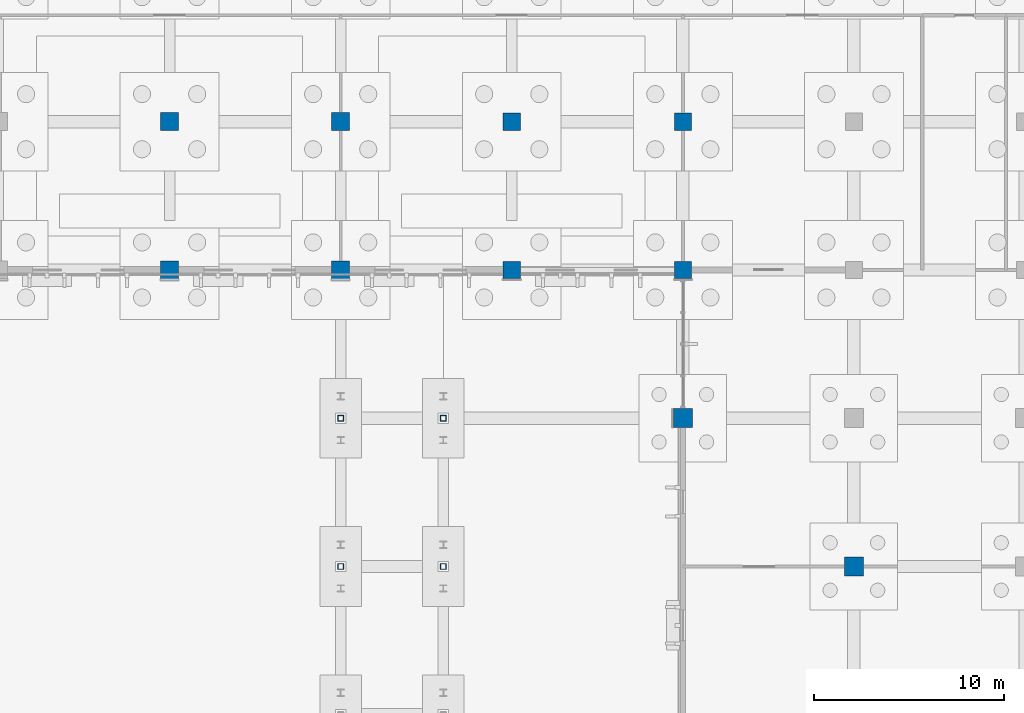
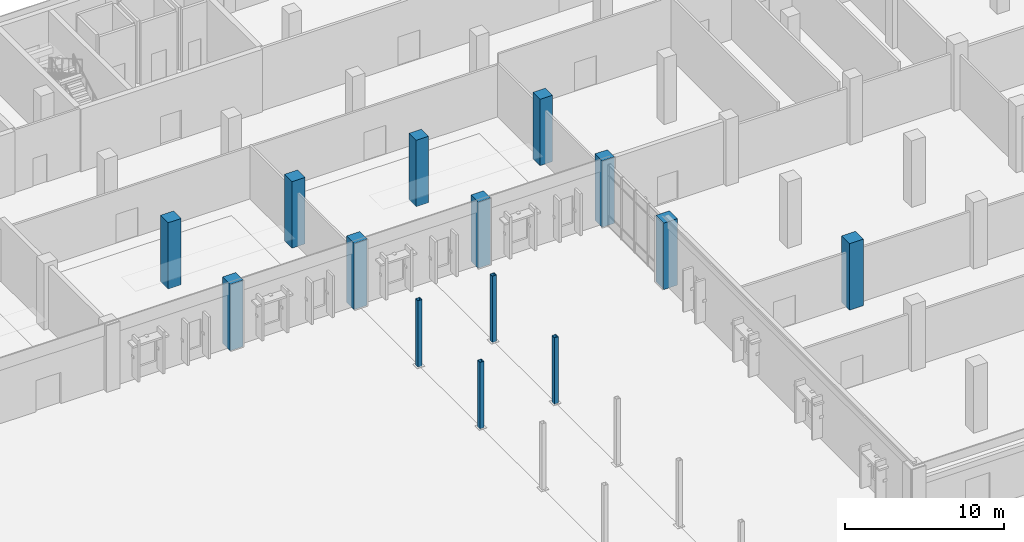
# One storey, part 26 of 94: 14 columns.
"""IFC4 building model written with IfcOpenShell, lengths in metres."""

from ifc_helpers import new_model, si_unit, direction, frame, origin, origin_2d, place, context, subcontext, project, spatial, rectangle, hollow_rectangle, extrude, material, material_profile, profile_set, type_object, element, save


model = new_model("IFC4")

# Units and contexts
model_context = context("Model", 3, precision=1e-05, world=origin(), true_north=direction((0.0, 1.0)))
body_context = subcontext(model_context, "Body", "Model", "MODEL_VIEW")
ifc_project = project(units=[si_unit("LENGTHUNIT", "METRE"), si_unit("AREAUNIT", "SQUARE_METRE"), si_unit("VOLUMEUNIT", "CUBIC_METRE"), si_unit("PLANEANGLEUNIT", "RADIAN"), si_unit("MASSUNIT", "GRAM", prefix="KILO")], contexts=[model_context])

# Site, building, storey
site_placement = place(None, origin())
site = spatial("IfcSite", under=ifc_project, at=site_placement, CompositionType="ELEMENT")
building_placement = place(site_placement, origin())
building = spatial("IfcBuilding", under=site, at=building_placement, Name="Vervanel Yard Central Library", CompositionType="ELEMENT")
storey_placement = place(building_placement, origin())
storey = spatial("IfcBuildingStorey", under=building, at=storey_placement, Name="L00", CompositionType="ELEMENT", Elevation=0.0)

# Columns
ifc_material_1 = material(Name="Steel ASTM A500 Grade C", Category="steel")
ifc_material_profile_1 = material_profile(ifc_material_1, hollow_rectangle(XDim=0.3046875, YDim=0.3046875, WallThickness=0.0146484375, at=origin_2d()), Name="HSS12X12X5/8", Category="steel")
ifc_profile_set_1 = profile_set([ifc_material_profile_1], Name="Steel ASTM A500 Grade C")
column_type_1 = type_object("IfcColumnType", Name="Bridge Pier Column HSS12X12X5/8", PredefinedType="COLUMN", material=ifc_profile_set_1)
for number, where, z_axis, x_axis, name in (
    (1, (72.0, 66.60009765625, 0.0), (0.0, 0.0, 1.0), (1.0, 0.0, 0.0), "L00 Bridge Pier Column HSS12X12X5/8 (72.0, 66.6)"),
    (2, (72.0, 74.39990234375, 0.0), (0.0, 0.0, 1.0), (1.0, 0.0, 0.0), "L00 Bridge Pier Column HSS12X12X5/8 (72.0, 74.4)"),
    (3, (77.39990234375, 66.60009765625, 0.0), (0.0, 0.0, 1.0), (1.0, 0.0, 0.0), "L00 Bridge Pier Column HSS12X12X5/8 (77.4, 66.6)"),
    (4, (77.39990234375, 74.39990234375, 0.0), (0.0, 0.0, 1.0), (1.0, 0.0, 0.0), "L00 Bridge Pier Column HSS12X12X5/8 (77.4, 74.4)"),
):
    element("IfcColumn", number, at=place(storey_placement, frame(where, z_axis=z_axis, x_axis=x_axis)), inside=storey, type_object=column_type_1, Name=name, PredefinedType="COLUMN", context=body_context, shape_type="SweptSolid", body=[
        extrude(hollow_rectangle(XDim=0.3046875, YDim=0.3046875, WallThickness=0.0146484375, at=origin_2d()), origin(), (0.0, 0.0, 1.0), 5.10009765625),
    ])
ifc_material_2 = material(Name="Concrete C45/55", Category="concrete")
ifc_material_profile_2 = material_profile(ifc_material_2, rectangle(XDim=1.0, YDim=1.0, at=origin_2d()), Name="RC 1000x1000", Category="concrete")
ifc_profile_set_2 = profile_set([ifc_material_profile_2], Name="Concrete C45/55")
column_type_2 = type_object("IfcColumnType", Name="Concrete Column 1000x1000", PredefinedType="COLUMN", material=ifc_profile_set_2)
for number, where, z_axis, x_axis, name in (
    (5, (90.0, 74.39990234375, 0.0), (0.0, 0.0, 1.0), (1.0, 0.0, 0.0), "L00 Concrete Column 1000x1000 (90.0, 74.4)"),
    (6, (99.0, 66.60009765625, 0.0), (0.0, 0.0, 1.0), (1.0, 0.0, 0.0), "L00 Concrete Column 1000x1000 (99.0, 66.6)"),
):
    element("IfcColumn", number, at=place(storey_placement, frame(where, z_axis=z_axis, x_axis=x_axis)), inside=storey, type_object=column_type_2, Name=name, PredefinedType="COLUMN", context=body_context, shape_type="SweptSolid", body=[
        extrude(rectangle(XDim=1.0, YDim=1.0, at=origin_2d()), origin(), (0.0, 0.0, 1.0), 5.10009765625),
    ])
ifc_material_profile_3 = material_profile(ifc_material_2, rectangle(XDim=0.89990234375, YDim=0.89990234375, at=origin_2d()), Name="RC 900x900", Category="concrete")
ifc_profile_set_3 = profile_set([ifc_material_profile_3], Name="Concrete C45/55")
column_type_3 = type_object("IfcColumnType", Name="Concrete Column 900x900", PredefinedType="COLUMN", material=ifc_profile_set_3)
for number, where, z_axis, x_axis, name in (
    (7, (81.0, 82.199951171875, 0.0), (0.0, 0.0, 1.0), (1.0, 0.0, 0.0), "L00 Concrete Column 900x900 (81.0, 82.2)"),
    (8, (81.0, 90.0, 0.0), (0.0, 0.0, 1.0), (1.0, 0.0, 0.0), "L00 Concrete Column 900x900 (81.0, 90.0)"),
    (9, (90.0, 82.199951171875, 0.0), (0.0, 0.0, 1.0), (1.0, 0.0, 0.0), "L00 Concrete Column 900x900 (90.0, 82.2)"),
    (10, (90.0, 90.0, 0.0), (0.0, 0.0, 1.0), (1.0, 0.0, 0.0), "L00 Concrete Column 900x900 (90.0, 90.0)"),
):
    element("IfcColumn", number, at=place(storey_placement, frame(where, z_axis=z_axis, x_axis=x_axis)), inside=storey, type_object=column_type_3, Name=name, PredefinedType="COLUMN", context=body_context, shape_type="SweptSolid", body=[
        extrude(rectangle(XDim=0.89990234375, YDim=0.89990234375, at=origin_2d()), origin(), (0.0, 0.0, 1.0), 5.10009765625),
    ])
ifc_material_profile_4 = material_profile(ifc_material_2, rectangle(XDim=0.949951171875, YDim=0.949951171875, at=origin_2d()), Name="RC 950x950", Category="concrete")
ifc_profile_set_4 = profile_set([ifc_material_profile_4], Name="Concrete C45/55")
column_type_4 = type_object("IfcColumnType", Name="Concrete Column 950x950", PredefinedType="COLUMN", material=ifc_profile_set_4)
for number, where, z_axis, x_axis, name in (
    (11, (63.0, 82.199951171875, 0.0), (0.0, 0.0, 1.0), (1.0, 0.0, 0.0), "L00 Concrete Column 950x950 (63.0, 82.2)"),
    (12, (63.0, 90.0, 0.0), (0.0, 0.0, 1.0), (1.0, 0.0, 0.0), "L00 Concrete Column 950x950 (63.0, 90.0)"),
    (13, (72.0, 82.199951171875, 0.0), (0.0, 0.0, 1.0), (1.0, 0.0, 0.0), "L00 Concrete Column 950x950 (72.0, 82.2)"),
    (14, (72.0, 90.0, 0.0), (0.0, 0.0, 1.0), (1.0, 0.0, 0.0), "L00 Concrete Column 950x950 (72.0, 90.0)"),
):
    element("IfcColumn", number, at=place(storey_placement, frame(where, z_axis=z_axis, x_axis=x_axis)), inside=storey, type_object=column_type_4, Name=name, PredefinedType="COLUMN", context=body_context, shape_type="SweptSolid", body=[
        extrude(rectangle(XDim=0.949951171875, YDim=0.949951171875, at=origin_2d()), origin(), (0.0, 0.0, 1.0), 5.10009765625),
    ])

save(model, "model.ifc")
